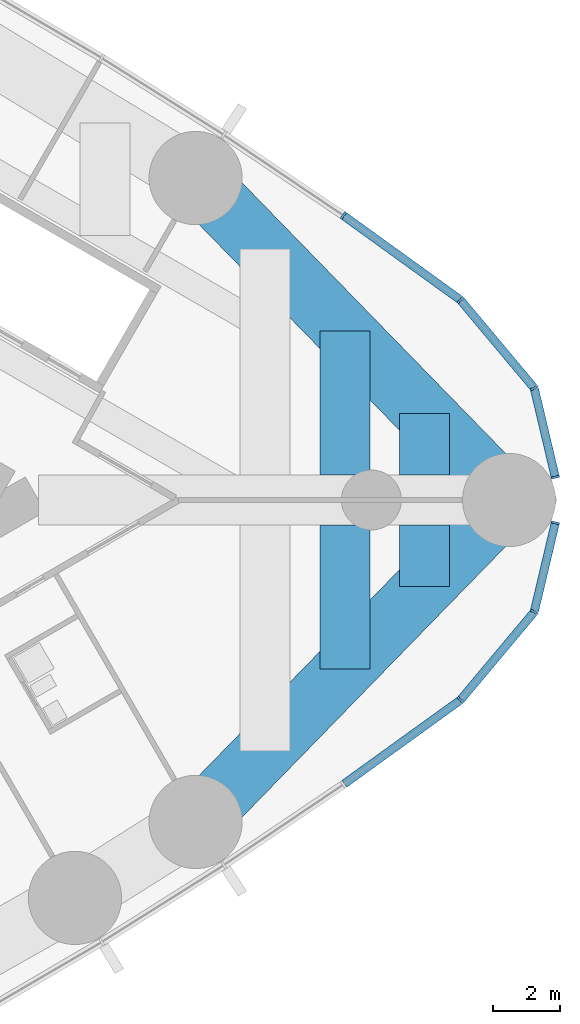
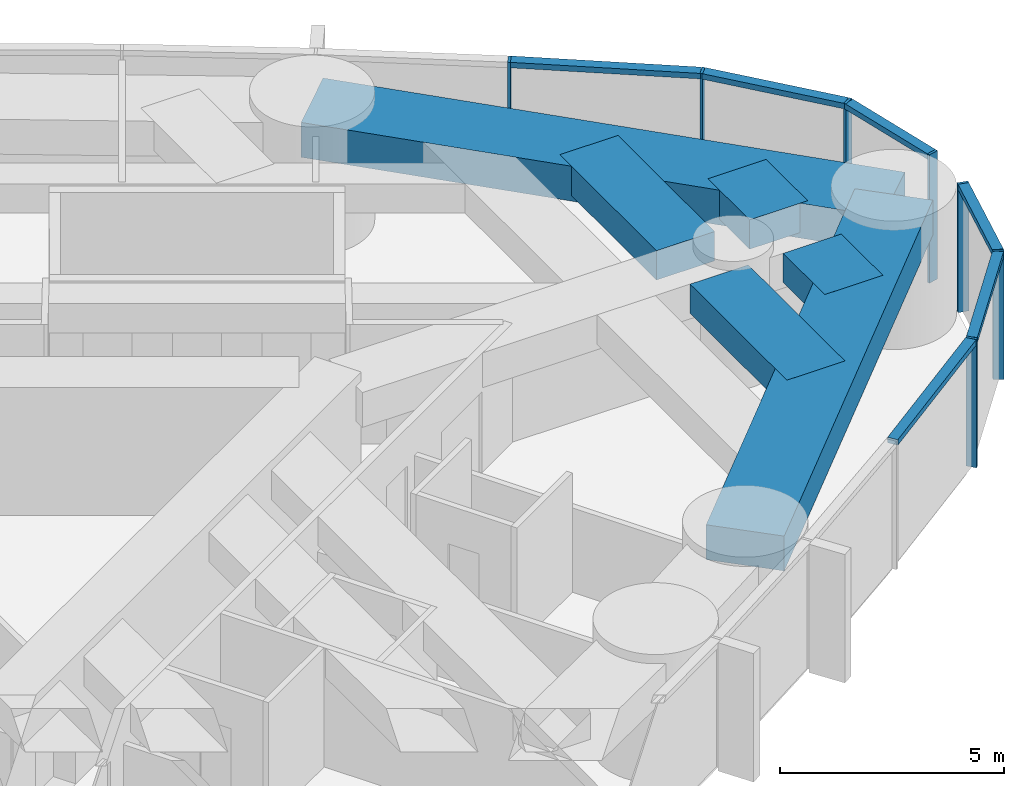
# One storey, part 9 of 19: 13 members, 6 beams, 2 elements without a shape of their own.
"""IFC4 building model written with IfcOpenShell, lengths in metres."""

from ifc_helpers import new_model, si_unit, direction, frame, origin, origin_2d, place, context, subcontext, project, spatial, rectangle, extrude, material, material_profile, profile_set, type_object, element, aggregate, save


model = new_model("IFC4")

# Units and contexts
model_context = context("Model", 3, precision=1e-05, world=origin(), true_north=direction((0.0, 1.0)))
body_context = subcontext(model_context, "Body", "Model", "MODEL_VIEW")
ifc_project = project(units=[si_unit("LENGTHUNIT", "METRE"), si_unit("AREAUNIT", "SQUARE_METRE"), si_unit("VOLUMEUNIT", "CUBIC_METRE"), si_unit("PLANEANGLEUNIT", "RADIAN"), si_unit("MASSUNIT", "GRAM", prefix="KILO")], contexts=[model_context])

# Site, building, storey
site_placement = place(None, origin())
site = spatial("IfcSite", under=ifc_project, at=site_placement, CompositionType="ELEMENT")
building_placement = place(site_placement, origin())
building = spatial("IfcBuilding", under=site, at=building_placement, Name="Lancet Gate Hotel", CompositionType="ELEMENT")
storey_placement = place(building_placement, frame((0.0, 0.0, 191.300048828125)))
storey = spatial("IfcBuildingStorey", under=building, at=storey_placement, Name="L51", CompositionType="ELEMENT", Elevation=191.300048828125)

# Curtain wall, members
ifc_material_1 = material(Name="Aluminium curtain wall", Category="aluminium")
curtain_wall_type = type_object("IfcCurtainWallType", Name="Tower unitised curtain wall", PredefinedType="USERDEFINED", material=ifc_material_1)
curtain_wall_1_placement = place(storey_placement, origin())
curtain_wall_1 = element("IfcCurtainWall", 1, at=curtain_wall_1_placement, inside=storey, type_object=curtain_wall_type, Name="T2 L51 curtain wall 2", ObjectType="UNITISED CURTAIN WALL", PredefinedType="USERDEFINED")
ifc_material_2 = material(Name="Aluminium mullion", Category="aluminium")
ifc_material_profile_1 = material_profile(ifc_material_2, rectangle(XDim=0.06494140625, YDim=0.25, at=origin_2d()), Name="MULLION 65x250")
ifc_profile_set_1 = profile_set([ifc_material_profile_1], Name="Aluminium mullion")
member_type_1 = type_object("IfcMemberType", Name="Aluminium mullion 65x250", PredefinedType="MULLION", material=ifc_profile_set_1)
member_1_placement = place(storey_placement, frame((64.174560546875, -6.01123046875, 0.0), z_axis=(0.0, 0.0, 1.0), x_axis=(0.741693452951, 0.670739011725, 0.0)))
member_1 = element("IfcMember", 2, at=member_1_placement, type_object=member_type_1, Name="T2 L51 curtain wall 2 mullion 10", PredefinedType="MULLION", context=body_context, shape_type="SweptSolid", body=[
    extrude(rectangle(XDim=0.06494140625, YDim=0.25, at=origin_2d()), origin(), (0.0, 0.0, 1.0), 3.5),
])
member_2_placement = place(storey_placement, frame((66.3935546875, -3.362548828125, 0.0), z_axis=(0.0, 0.0, 1.0), x_axis=(0.472146326362, 0.881520190638, 0.0)))
member_2 = element("IfcMember", 3, at=member_2_placement, type_object=member_type_1, Name="T2 L51 curtain wall 2 mullion 11", PredefinedType="MULLION", context=body_context, shape_type="SweptSolid", body=[
    extrude(rectangle(XDim=0.06494140625, YDim=0.25, at=origin_2d()), origin(), (0.0, 0.0, 1.0), 3.5),
])
member_3_placement = place(storey_placement, frame((67.027587890625, -0.684326171875, 0.0), z_axis=(0.0, 0.0, 1.0), x_axis=(0.230366568544, 0.973103922558, 0.0)))
member_3 = element("IfcMember", 4, at=member_3_placement, type_object=member_type_1, Name="T2 L51 curtain wall 2 mullion 12", PredefinedType="MULLION", context=body_context, shape_type="SweptSolid", body=[
    extrude(rectangle(XDim=0.06494140625, YDim=0.25, at=origin_2d()), origin(), (0.0, 0.0, 1.0), 3.5),
])

curtain_wall_2_placement = place(storey_placement, origin())
curtain_wall_2 = element("IfcCurtainWall", 5, at=curtain_wall_2_placement, inside=storey, type_object=curtain_wall_type, Name="T2 L51 curtain wall 3", ObjectType="UNITISED CURTAIN WALL", PredefinedType="USERDEFINED")
member_4_placement = place(storey_placement, frame((67.027587890625, 0.684326171875, 0.0), z_axis=(0.0, 0.0, 1.0), x_axis=(-0.230366568544, 0.973103922558, 0.0)))
member_4 = element("IfcMember", 6, at=member_4_placement, type_object=member_type_1, Name="T2 L51 curtain wall 3 mullion 1", PredefinedType="MULLION", context=body_context, shape_type="SweptSolid", body=[
    extrude(rectangle(XDim=0.06494140625, YDim=0.25, at=origin_2d()), origin(), (0.0, 0.0, 1.0), 3.5),
])
member_5_placement = place(storey_placement, frame((66.3935546875, 3.362548828125, 0.0), z_axis=(0.0, 0.0, 1.0), x_axis=(-0.472146326362, 0.881520190638, 0.0)))
member_5 = element("IfcMember", 7, at=member_5_placement, type_object=member_type_1, Name="T2 L51 curtain wall 3 mullion 2", PredefinedType="MULLION", context=body_context, shape_type="SweptSolid", body=[
    extrude(rectangle(XDim=0.06494140625, YDim=0.25, at=origin_2d()), origin(), (0.0, 0.0, 1.0), 3.5),
])
member_6_placement = place(storey_placement, frame((64.174560546875, 6.01123046875, 0.0), z_axis=(0.0, 0.0, 1.0), x_axis=(-0.741693452951, 0.670739011725, 0.0)))
member_6 = element("IfcMember", 8, at=member_6_placement, type_object=member_type_1, Name="T2 L51 curtain wall 3 mullion 3", PredefinedType="MULLION", context=body_context, shape_type="SweptSolid", body=[
    extrude(rectangle(XDim=0.06494140625, YDim=0.25, at=origin_2d()), origin(), (0.0, 0.0, 1.0), 3.5),
])
member_7_placement = place(storey_placement, frame((60.66015625, 8.547607421875, 0.0), z_axis=(0.0, 0.0, 1.0), x_axis=(-0.820068208435, 0.572265789222, 0.0)))
member_7 = element("IfcMember", 9, at=member_7_placement, type_object=member_type_1, Name="T2 L51 curtain wall 3 mullion 4", PredefinedType="MULLION", context=body_context, shape_type="SweptSolid", body=[
    extrude(rectangle(XDim=0.06494140625, YDim=0.25, at=origin_2d()), origin(), (0.0, 0.0, 1.0), 3.5),
])

# Member
ifc_material_3 = material(Name="Aluminium transom", Category="aluminium")
ifc_material_profile_2 = material_profile(ifc_material_3, rectangle(XDim=0.25, YDim=0.14990234375, at=origin_2d()), Name="TRANSOM 250x150")
ifc_profile_set_2 = profile_set([ifc_material_profile_2], Name="Aluminium transom")
member_type_2 = type_object("IfcMemberType", Name="Aluminium transom 250x150", PredefinedType="USERDEFINED", material=ifc_profile_set_2)
member_8_placement = place(storey_placement, frame((60.6865234375, -8.528564453125, 3.425048828125), z_axis=(0.810879747578, 0.585212811691, 0.0), x_axis=(-0.585212811691, 0.810879747578, 0.0)))
member_8 = element("IfcMember", 10, at=member_8_placement, type_object=member_type_2, Name="T2 L51 curtain wall 2 transom 9", ObjectType="TRANSOM", PredefinedType="USERDEFINED", context=body_context, shape_type="SweptSolid", body=[
    extrude(rectangle(XDim=0.25, YDim=0.14990234375, at=origin_2d()), origin(), (0.0, 0.0, 1.0), 4.26904296875),
])

member_9_placement = place(storey_placement, frame((64.1953125, -5.986328125, 3.425048828125), z_axis=(0.642229010215, 0.766512816878, 0.0), x_axis=(-0.766512816878, 0.642229010215, 0.0)))
member_9 = element("IfcMember", 11, at=member_9_placement, type_object=member_type_2, Name="T2 L51 curtain wall 2 transom 10", ObjectType="TRANSOM", PredefinedType="USERDEFINED", context=body_context, shape_type="SweptSolid", body=[
    extrude(rectangle(XDim=0.25, YDim=0.14990234375, at=origin_2d()), origin(), (0.0, 0.0, 1.0), 3.390625),
])

member_10_placement = place(storey_placement, frame((66.401123046875, -3.3310546875, 3.425048828125), z_axis=(0.230310174804, 0.973117271135, 0.0), x_axis=(-0.973117271135, 0.230310174804, 0.0)))
member_10 = element("IfcMember", 12, at=member_10_placement, type_object=member_type_2, Name="T2 L51 curtain wall 2 transom 11", ObjectType="TRANSOM", PredefinedType="USERDEFINED", context=body_context, shape_type="SweptSolid", body=[
    extrude(rectangle(XDim=0.25, YDim=0.14990234375, at=origin_2d()), origin(), (0.0, 0.0, 1.0), 2.687255859375),
])

aggregate(curtain_wall_1, [member_1, member_2, member_3, member_8, member_9, member_10])

member_11_placement = place(storey_placement, frame((67.02001953125, 0.716064453125, 3.425048828125), z_axis=(-0.230310174804, 0.973117271135, 0.0), x_axis=(-0.973117271135, -0.230310174804, 0.0)))
member_11 = element("IfcMember", 13, at=member_11_placement, type_object=member_type_2, Name="T2 L51 curtain wall 3 transom 1", ObjectType="TRANSOM", PredefinedType="USERDEFINED", context=body_context, shape_type="SweptSolid", body=[
    extrude(rectangle(XDim=0.25, YDim=0.14990234375, at=origin_2d()), origin(), (0.0, 0.0, 1.0), 2.687255859375),
])

member_12_placement = place(storey_placement, frame((66.372802734375, 3.387451171875, 3.425048828125), z_axis=(-0.642229010215, 0.766512816878, 0.0), x_axis=(-0.766512816878, -0.642229010215, 0.0)))
member_12 = element("IfcMember", 14, at=member_12_placement, type_object=member_type_2, Name="T2 L51 curtain wall 3 transom 2", ObjectType="TRANSOM", PredefinedType="USERDEFINED", context=body_context, shape_type="SweptSolid", body=[
    extrude(rectangle(XDim=0.25, YDim=0.14990234375, at=origin_2d()), origin(), (0.0, 0.0, 1.0), 3.390625),
])

member_13_placement = place(storey_placement, frame((64.148193359375, 6.0302734375, 3.425048828125), z_axis=(-0.810879747578, 0.585212811691, 0.0), x_axis=(-0.585212811691, -0.810879747578, 0.0)))
member_13 = element("IfcMember", 15, at=member_13_placement, type_object=member_type_2, Name="T2 L51 curtain wall 3 transom 3", ObjectType="TRANSOM", PredefinedType="USERDEFINED", context=body_context, shape_type="SweptSolid", body=[
    extrude(rectangle(XDim=0.25, YDim=0.14990234375, at=origin_2d()), origin(), (0.0, 0.0, 1.0), 4.26904296875),
])

aggregate(curtain_wall_2, [member_4, member_5, member_6, member_7, member_11, member_12, member_13])

# Beams
ifc_material_4 = material(Name="Concrete C50/60", Category="concrete")
ifc_material_profile_3 = material_profile(ifc_material_4, rectangle(XDim=1.800048828125, YDim=0.949951171875, at=origin_2d()), Name="RC 1800x950")
ifc_profile_set_3 = profile_set([ifc_material_profile_3], Name="Concrete C50/60")
beam_type_1 = type_object("IfcBeamType", Name="Edge beam RC 1800x950", PredefinedType="SPANDREL", material=ifc_profile_set_3)
for number, where, z_axis, x_axis, name in (
    (16, (56.220947265625, -9.67236328125, 2.77490234375), (0.697649905443, 0.716438838587, 0.0), (-0.716438838587, 0.697649905443, 0.0), "T2 edge beam EB1 L51"),
    (17, (65.6396484375, 0.0, 2.77490234375), (-0.697649905443, 0.716438838587, 0.0), (-0.716438838587, -0.697649905443, 0.0), "T2 edge beam EB1 L51"),
):
    element("IfcBeam", number, at=place(storey_placement, frame(where, z_axis=z_axis, x_axis=x_axis)), inside=storey, type_object=beam_type_1, Name=name, PredefinedType="SPANDREL", context=body_context, shape_type="SweptSolid", body=[
        extrude(rectangle(XDim=1.800048828125, YDim=0.949951171875, at=origin_2d()), origin(), (0.0, 0.0, 1.0), 13.500732421875),
    ])
ifc_material_5 = material(Name="Concrete C50/60", Category="concrete")
ifc_material_profile_4 = material_profile(ifc_material_5, rectangle(XDim=1.5, YDim=0.800048828125, at=origin_2d()), Name="RC 1500x800")
ifc_profile_set_4 = profile_set([ifc_material_profile_4], Name="Concrete C50/60")
beam_type_2 = type_object("IfcBeamType", Name="Floor beam RC 1500x800", PredefinedType="BEAM", material=ifc_profile_set_4)
for number, where, z_axis, x_axis, name in (
    (18, (60.7021484375, -5.0703125, 2.849853515625), (0.0, 1.0, 0.0), (-1.0, 0.0, 0.0), "T2 floor beam F14S L51"),
    (19, (60.7021484375, 0.75, 2.849853515625), (0.0, 1.0, 0.0), (-1.0, 0.0, 0.0), "T2 floor beam F15N L51"),
):
    element("IfcBeam", number, at=place(storey_placement, frame(where, z_axis=z_axis, x_axis=x_axis)), inside=storey, type_object=beam_type_2, Name=name, PredefinedType="BEAM", context=body_context, shape_type="SweptSolid", body=[
        extrude(rectangle(XDim=1.5, YDim=0.800048828125, at=origin_2d()), origin(), (0.0, 0.0, 1.0), 4.3203125),
    ])
for number, where, z_axis, x_axis, name in (
    (20, (63.102294921875, -2.605712890625, 2.849853515625), (0.0, 1.0, 0.0), (-1.0, 0.0, 0.0), "T2 floor beam F16S L51"),
    (21, (63.102294921875, 0.75, 2.849853515625), (0.0, 1.0, 0.0), (-1.0, 0.0, 0.0), "T2 floor beam F17N L51"),
):
    element("IfcBeam", number, at=place(storey_placement, frame(where, z_axis=z_axis, x_axis=x_axis)), inside=storey, type_object=beam_type_2, Name=name, PredefinedType="BEAM", context=body_context, shape_type="SweptSolid", body=[
        extrude(rectangle(XDim=1.5, YDim=0.800048828125, at=origin_2d()), origin(), (0.0, 0.0, 1.0), 1.855712890625),
    ])

save(model, "model.ifc")
